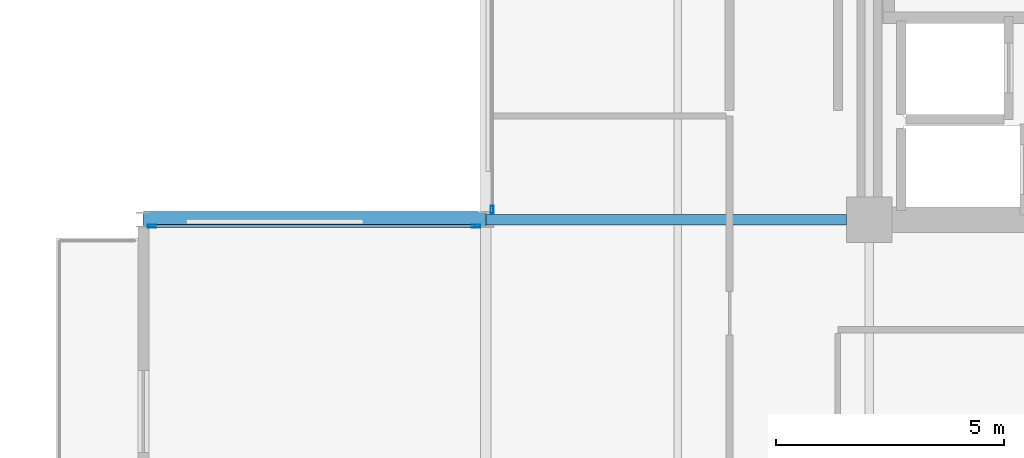
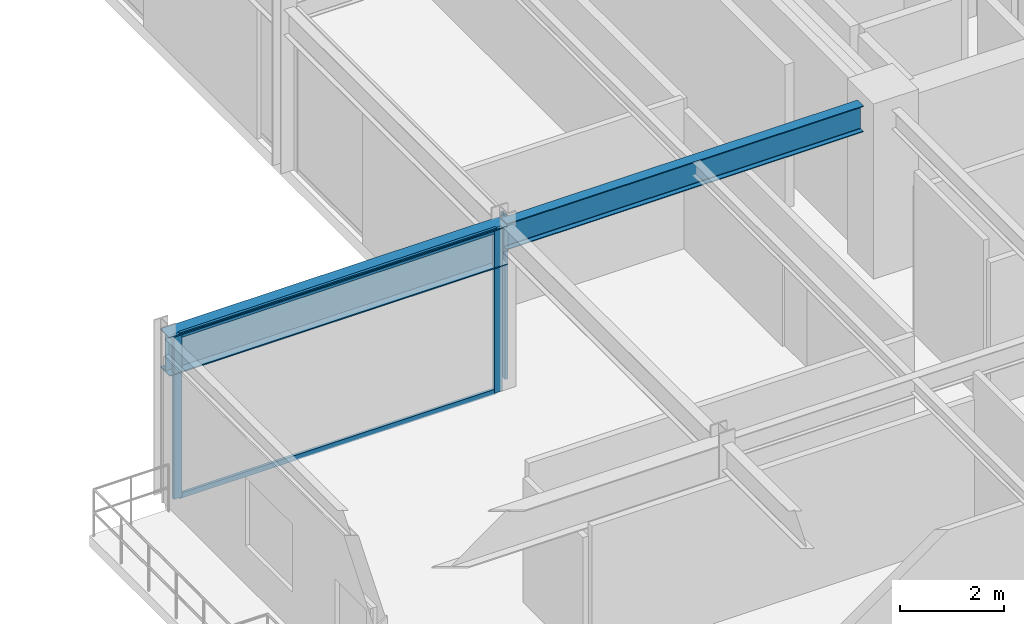
# One storey, part 9 of 29: 5 members, 2 beams, 2 elements without a shape of their own.
"""IFC4 building model written with IfcOpenShell, lengths in metres."""

from ifc_helpers import new_model, si_unit, direction, frame, origin, origin_2d, place, context, subcontext, project, spatial, hollow_rectangle, i_section, extrude, material, layer, layer_set, material_profile, profile_set, type_object, element, aggregate, save


model = new_model("IFC4")

# Units and contexts
model_context = context("Model", 3, precision=1e-05, world=origin(), true_north=direction((0.0, 1.0)))
body_context = subcontext(model_context, "Body", "Model", "MODEL_VIEW")
ifc_project = project(units=[si_unit("LENGTHUNIT", "METRE"), si_unit("AREAUNIT", "SQUARE_METRE"), si_unit("VOLUMEUNIT", "CUBIC_METRE"), si_unit("PLANEANGLEUNIT", "RADIAN"), si_unit("MASSUNIT", "GRAM", prefix="KILO")], contexts=[model_context])

# Site, building, storey
site_placement = place(None, origin())
site = spatial("IfcSite", under=ifc_project, at=site_placement, CompositionType="ELEMENT")
building_placement = place(site_placement, origin())
building = spatial("IfcBuilding", under=site, at=building_placement, Name="Nerrivon Quay Data Exchange", CompositionType="ELEMENT")
storey_placement = place(building_placement, frame((0.0, 0.0, 212.39990234375)))
storey = spatial("IfcBuildingStorey", under=building, at=storey_placement, Name="L50", CompositionType="ELEMENT", Elevation=212.39990234375)

# Beams
ifc_material_1 = material(Name="Steel Grade 350", Category="steel")
ifc_material_profile_1 = material_profile(ifc_material_1, i_section(OverallWidth=0.35009765625, OverallDepth=0.909912109375, WebThickness=0.011962890625, FlangeThickness=0.02490234375, at=origin_2d()), Name="900WB218")
ifc_profile_set_1 = profile_set([ifc_material_profile_1], Name="Steel Grade 350")
beam_type_1 = type_object("IfcBeamType", Name="BM-CANT-900WB", PredefinedType="USERDEFINED", material=ifc_profile_set_1)
beam_1_placement = place(storey_placement, frame((-0.010009765625, 25.199951171875, 3.3701171875), z_axis=(-1.0, 0.0, 0.0), x_axis=(0.0, -1.0, 0.0)))
element("IfcBeam", 1, at=beam_1_placement, inside=storey, type_object=beam_type_1, Name="L50 West Hooked Cantilever Girder Y=25.2", ObjectType="TRANSFER", PredefinedType="USERDEFINED", context=body_context, shape_type="SweptSolid", body=[
    extrude(i_section(OverallWidth=0.35009765625, OverallDepth=0.909912109375, WebThickness=0.011962890625, FlangeThickness=0.02490234375, at=origin_2d()), origin(), (0.0, 0.0, 1.0), 7.482177734375),
])
ifc_material_profile_2 = material_profile(ifc_material_1, i_section(OverallWidth=0.22900390625, OverallDepth=0.612060546875, WebThickness=0.011962890625, FlangeThickness=0.01953125, FilletRadius=0.013916015625, at=origin_2d()), Name="610UB125")
ifc_profile_set_2 = profile_set([ifc_material_profile_2], Name="Steel Grade 350")
beam_type_2 = type_object("IfcBeamType", Name="BM-G1-610UB125", PredefinedType="BEAM", material=ifc_profile_set_2)
beam_2_placement = place(storey_placement, frame((0.010009765625, 25.199951171875, 3.51904296875), z_axis=(1.0, 0.0, 0.0), x_axis=(0.0, 1.0, 0.0)))
element("IfcBeam", 2, at=beam_2_placement, inside=storey, type_object=beam_type_2, Name="L50 EW Girder Y=25.2 (0.0..8.4)", PredefinedType="BEAM", context=body_context, shape_type="SweptSolid", body=[
    extrude(i_section(OverallWidth=0.22900390625, OverallDepth=0.612060546875, WebThickness=0.011962890625, FlangeThickness=0.01953125, FilletRadius=0.013916015625, at=origin_2d()), origin(), (0.0, 0.0, 1.0), 7.889892578125),
])

# Curtain wall, members
ifc_material_2 = material(Name="Anodised aluminium 6063-T6", Category="aluminium")
ifc_layer_1 = layer(ifc_material_2, 0.199951171875)
ifc_layer_set_1 = layer_set([ifc_layer_1], Name="Anodised aluminium 6063-T6")
curtain_wall_type_1 = type_object("IfcCurtainWallType", Name="CW-SYS-04", PredefinedType="NOTDEFINED", material=ifc_layer_set_1)
curtain_wall_1_placement = place(storey_placement, origin())
curtain_wall_1 = element("IfcCurtainWall", 3, at=curtain_wall_1_placement, inside=storey, type_object=curtain_wall_type_1, Name="L50 Unitised Curtain Wall 3", PredefinedType="NOTDEFINED")
ifc_material_profile_3 = material_profile(ifc_material_2, hollow_rectangle(XDim=0.06494140625, YDim=0.179931640625, WallThickness=0.00341796875, at=origin_2d()), Name="ALU-MULL-180x65")
ifc_profile_set_3 = profile_set([ifc_material_profile_3], Name="Anodised aluminium 6063-T6")
member_type_1 = type_object("IfcMemberType", Name="CWM-180x65", PredefinedType="MULLION", material=ifc_profile_set_3)
member_1_placement = place(storey_placement, frame((-7.306884765625, 25.06005859375, 0.0), z_axis=(0.0, 0.0, 1.0), x_axis=(0.0, 1.0, 0.0)))
member_1 = element("IfcMember", 4, at=member_1_placement, type_object=member_type_1, Name="CW04 mullion 1", PredefinedType="MULLION", context=body_context, shape_type="SweptSolid", body=[
    extrude(hollow_rectangle(XDim=0.06494140625, YDim=0.179931640625, WallThickness=0.00341796875, at=origin_2d()), origin(), (0.0, 0.0, 1.0), 3.8251953125),
])
member_2_placement = place(storey_placement, frame((-0.21240234375, 25.06005859375, 0.0), z_axis=(0.0, 0.0, 1.0), x_axis=(0.0, 1.0, 0.0)))
member_2 = element("IfcMember", 5, at=member_2_placement, type_object=member_type_1, Name="CW04 mullion 2", PredefinedType="MULLION", context=body_context, shape_type="SweptSolid", body=[
    extrude(hollow_rectangle(XDim=0.06494140625, YDim=0.179931640625, WallThickness=0.00341796875, at=origin_2d()), origin(), (0.0, 0.0, 1.0), 3.8251953125),
])

# Curtain wall, member
ifc_layer_2 = layer(ifc_material_2, 0.195068359375)
ifc_layer_set_2 = layer_set([ifc_layer_2], Name="Anodised aluminium 6063-T6")
curtain_wall_type_2 = type_object("IfcCurtainWallType", Name="CW-SYS-06", PredefinedType="NOTDEFINED", material=ifc_layer_set_2)
curtain_wall_2_placement = place(storey_placement, origin())
curtain_wall_2 = element("IfcCurtainWall", 6, at=curtain_wall_2_placement, inside=storey, type_object=curtain_wall_type_2, Name="L50 Unitised Curtain Wall 4", PredefinedType="NOTDEFINED")
member_3_placement = place(storey_placement, frame((0.139892578125, 25.41259765625, 0.0), z_axis=(0.0, 0.0, 1.0), x_axis=(-1.0, 0.0, 0.0)))
member_3 = element("IfcMember", 7, at=member_3_placement, type_object=member_type_1, Name="CW06 mullion 1", PredefinedType="MULLION", context=body_context, shape_type="SweptSolid", body=[
    extrude(hollow_rectangle(XDim=0.06494140625, YDim=0.179931640625, WallThickness=0.00341796875, at=origin_2d()), origin(), (0.0, 0.0, 1.0), 3.8251953125),
])
aggregate(curtain_wall_2, [member_3])

# Member
ifc_material_profile_4 = material_profile(ifc_material_2, hollow_rectangle(XDim=0.06005859375, YDim=0.1201171875, WallThickness=0.003173828125, at=origin_2d()), Name="ALU-TRAN-120x60")
ifc_profile_set_4 = profile_set([ifc_material_profile_4], Name="Anodised aluminium 6063-T6")
member_type_2 = type_object("IfcMemberType", Name="CWT-120x60", PredefinedType="USERDEFINED", material=ifc_profile_set_4)
member_4_placement = place(storey_placement, frame((-7.26953125, 25.06005859375, 0.03271484375), z_axis=(1.0, 0.0, 0.0), x_axis=(0.0, 1.0, 0.0)))
member_4 = element("IfcMember", 8, at=member_4_placement, type_object=member_type_2, Name="CW04 transom 1.1", ObjectType="TRANSOM", PredefinedType="USERDEFINED", context=body_context, shape_type="SweptSolid", body=[
    extrude(hollow_rectangle(XDim=0.06005859375, YDim=0.1201171875, WallThickness=0.003173828125, at=origin_2d()), origin(), (0.0, 0.0, 1.0), 7.01953125),
])

member_5_placement = place(storey_placement, frame((-7.26953125, 25.06005859375, 3.79248046875), z_axis=(1.0, 0.0, 0.0), x_axis=(0.0, 1.0, 0.0)))
member_5 = element("IfcMember", 9, at=member_5_placement, type_object=member_type_2, Name="CW04 transom 1.2", ObjectType="TRANSOM", PredefinedType="USERDEFINED", context=body_context, shape_type="SweptSolid", body=[
    extrude(hollow_rectangle(XDim=0.06005859375, YDim=0.1201171875, WallThickness=0.003173828125, at=origin_2d()), origin(), (0.0, 0.0, 1.0), 7.01953125),
])

aggregate(curtain_wall_1, [member_1, member_2, member_4, member_5])

save(model, "model.ifc")
